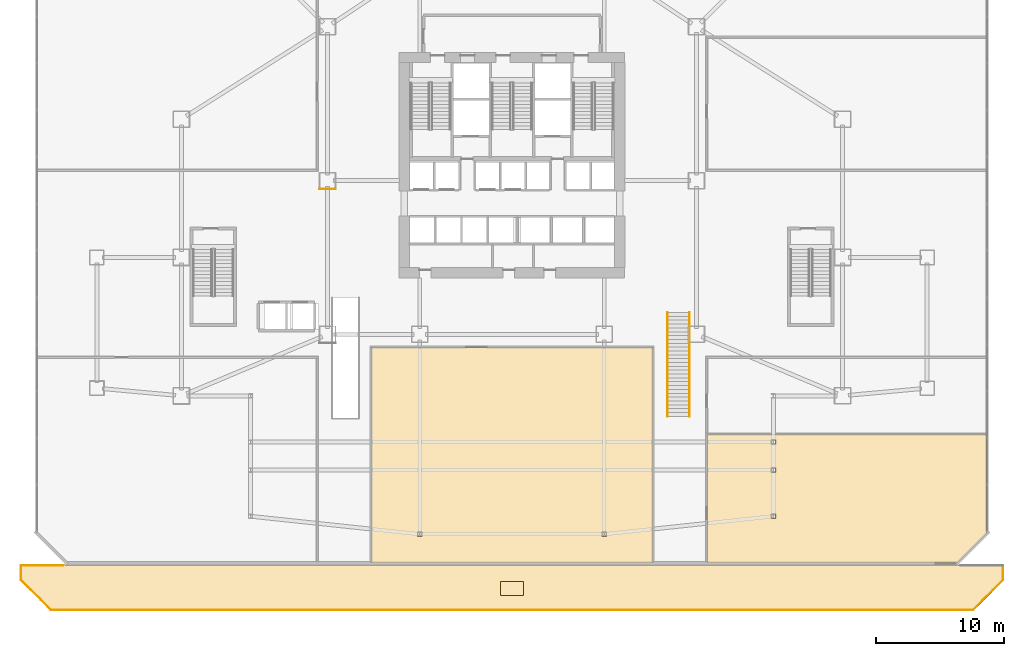
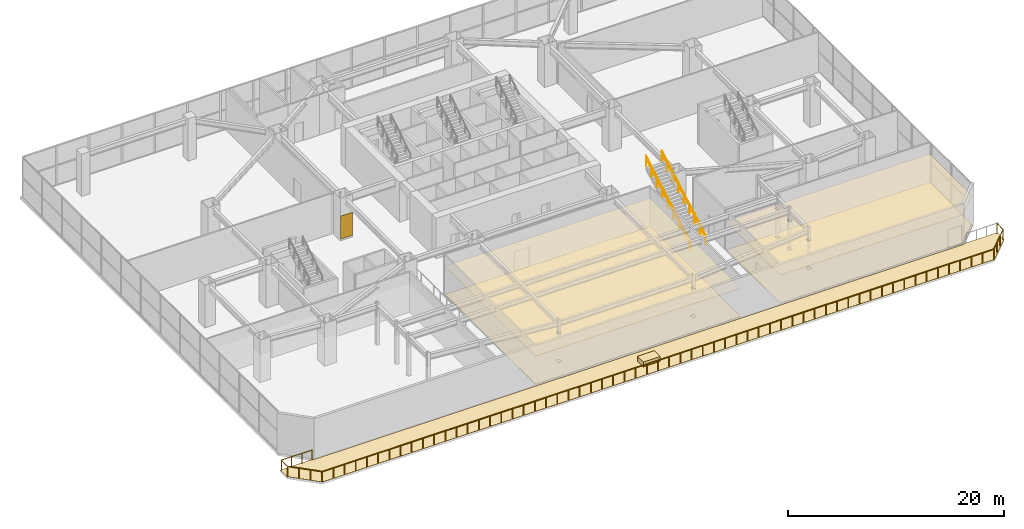
# One storey, part 28 of 31: 7 coverings, 5 railings.
"""IFC4 building model written with IfcOpenShell, lengths in metres."""

import ifcopenshell
import ifcopenshell.guid

model = None  # the IFC model being written
_history = None  # IfcOwnerHistory: only IFC2X3 demands one
_inside = {}  # id of a spatial element -> (the spatial element, [elements in it])
_under = {}  # id of a project, library or spatial element -> (it, [spatial elements below it])
_declared = {}  # id of a project -> (the project, [libraries it declares])
_typed = {}  # id of a type object -> (the type object, [elements of that type])
_made_of = {}  # id of a material, layer set ... -> (it, [elements and type objects made of it])


def new_model(schema):
    """Start an empty IFC model of exactly this schema.

    Asked for "IFC4X3", IfcOpenShell would pick the latest addendum, in which some entities
    have other attributes; the version numbers below select the first issue.
    IFC2X3 requires an IfcOwnerHistory on every rooted entity: one is made here for all.
    """
    global model, _history
    if schema == "IFC4X3":
        model = ifcopenshell.file(schema_version=(4, 3, 0, 0))
    else:
        model = ifcopenshell.file(schema=schema)
    _inside.clear()
    _under.clear()
    _declared.clear()
    _typed.clear()
    _made_of.clear()
    _history = None
    if model.schema == "IFC2X3":
        org = make("IfcOrganization", Name="unknown")
        user = make(
            "IfcPersonAndOrganization",
            ThePerson=make("IfcPerson", FamilyName="unknown"),
            TheOrganization=org,
        )
        app = make(
            "IfcApplication",
            ApplicationDeveloper=org,
            Version="unknown",
            ApplicationFullName="unknown",
            ApplicationIdentifier="unknown",
        )
        _history = make(
            "IfcOwnerHistory",
            OwningUser=user,
            OwningApplication=app,
            ChangeAction="ADDED",
            CreationDate=0,
        )
    return model


def make(cls, **values):
    """One entity of the class cls with the attributes given. An attribute that is None is left unset."""
    return model.create_entity(
        cls, **{name: value for name, value in values.items() if value is not None}
    )


def rooted(cls, **values):
    """An entity with a GlobalId (a new one), such as an element, a storey or a relation."""
    return make(cls, GlobalId=ifcopenshell.guid.new(), OwnerHistory=_history, **values)


def si_unit(unit_type, name, prefix=None):
    """IfcSIUnit, for example si_unit("LENGTHUNIT", "METRE", prefix="MILLI")."""
    return make("IfcSIUnit", UnitType=unit_type, Prefix=prefix, Name=name)


def assignment(units):
    """IfcUnitAssignment: the units of a project."""
    return None if units is None else make("IfcUnitAssignment", Units=units)


def point(xyz):
    """IfcCartesianPoint."""
    return None if xyz is None else make("IfcCartesianPoint", Coordinates=xyz)


def direction(xyz):
    """IfcDirection."""
    return None if xyz is None else make("IfcDirection", DirectionRatios=xyz)


def frame(location, z_axis=None, x_axis=None):
    """IfcAxis2Placement3D, a coordinate frame: its origin and axes. An axis left out is left unset."""
    return make(
        "IfcAxis2Placement3D",
        Location=point(location),
        Axis=direction(z_axis),
        RefDirection=direction(x_axis),
    )


def frame_2d(location, x_axis=None):
    """IfcAxis2Placement2D, a coordinate frame in the plane: its origin and x axis."""
    return make(
        "IfcAxis2Placement2D", Location=point(location), RefDirection=direction(x_axis)
    )


def origin():
    """The frame at (0, 0, 0) with its axes left unset."""
    return frame((0.0, 0.0, 0.0))


def origin_2d():
    """The frame at (0, 0) in the plane with its x axis left unset."""
    return frame_2d((0.0, 0.0))


def place(relative_to, where):
    """IfcLocalPlacement: puts the frame where relative to a parent placement (None: the world)."""
    return make(
        "IfcLocalPlacement", PlacementRelTo=relative_to, RelativePlacement=where
    )


def context(
    kind, dimensions, precision=None, world=None, true_north=None, identifier=None
):
    """IfcGeometricRepresentationContext, for example the 3D "Model" context."""
    return make(
        "IfcGeometricRepresentationContext",
        ContextIdentifier=identifier,
        ContextType=kind,
        CoordinateSpaceDimension=dimensions,
        Precision=precision,
        WorldCoordinateSystem=world,
        TrueNorth=true_north,
    )


def subcontext(parent, identifier, kind, view, scale=None):
    """IfcGeometricRepresentationSubContext, for example "Body" below "Model"."""
    return make(
        "IfcGeometricRepresentationSubContext",
        ContextIdentifier=identifier,
        ContextType=kind,
        ParentContext=parent,
        TargetScale=scale,
        TargetView=view,
    )


def project(units=None, contexts=None):
    """IfcProject with its units and contexts."""
    return rooted(
        "IfcProject",
        Name="project",
        RepresentationContexts=contexts,
        UnitsInContext=assignment(units),
    )


def spatial(cls, under=None, at=None, **own):
    """A site, building, storey or space (cls), placed at a placement, below another one or the project."""
    s = rooted(cls, ObjectPlacement=at, **own)
    if under is not None:
        _under.setdefault(under.id(), (under, []))[1].append(s)
    return s


def polyline(points):
    """IfcPolyline through the points."""
    return make("IfcPolyline", Points=[point(p) for p in points])


def profile(cls, at=None, kind="AREA", **sizes):
    """A parametric profile (cls). Its sizes go by their IFC names, for example OverallWidth=200.0."""
    return make(cls, ProfileType=kind, Position=at, **sizes)


def rectangle(**sizes):
    """IfcRectangleProfileDef."""
    return profile("IfcRectangleProfileDef", **sizes)


def circle(**sizes):
    """IfcCircleProfileDef."""
    return profile("IfcCircleProfileDef", **sizes)


def outline(outer, holes=None, kind="AREA"):
    """IfcArbitraryClosedProfileDef: a profile drawn as a closed curve; with holes, ...WithVoids."""
    if holes is None:
        return make("IfcArbitraryClosedProfileDef", ProfileType=kind, OuterCurve=outer)
    return make(
        "IfcArbitraryProfileDefWithVoids",
        ProfileType=kind,
        OuterCurve=outer,
        InnerCurves=holes,
    )


def extrude(swept, where, along, depth):
    """IfcExtrudedAreaSolid: the profile swept, set in the frame where, extruded along a direction by depth."""
    return make(
        "IfcExtrudedAreaSolid",
        SweptArea=swept,
        Position=where,
        ExtrudedDirection=direction(along),
        Depth=depth,
    )


def shape(context_of_items, identifier, shape_type, items):
    """IfcShapeRepresentation: the items that make up one representation, for example the "Body"."""
    return make(
        "IfcShapeRepresentation",
        ContextOfItems=context_of_items,
        RepresentationIdentifier=identifier,
        RepresentationType=shape_type,
        Items=items,
    )


def material(Name=None, Category=None):
    """IfcMaterial."""
    return make("IfcMaterial", Name=Name, Category=Category)


def layer(
    of_material, thickness, ventilated=None, Name=None, Category=None, Priority=None
):
    """IfcMaterialLayer: one layer of a wall or slab, of a material (None: an air gap)."""
    return make(
        "IfcMaterialLayer",
        Material=of_material,
        LayerThickness=thickness,
        IsVentilated=ventilated,
        Name=Name,
        Category=Category,
        Priority=Priority,
    )


def layer_set(layers, Name=None):
    """IfcMaterialLayerSet."""
    return make("IfcMaterialLayerSet", MaterialLayers=layers, LayerSetName=Name)


def made_of(thing, what):
    """Note that an element or type object is made of a material, layer set ...; save() writes the relation."""
    if what is not None:
        _made_of.setdefault(what.id(), (what, []))[1].append(thing)
    return thing


def type_object(cls, material=None, **own):
    """A type object (cls), such as IfcWallType, which elements share."""
    return made_of(rooted(cls, **own), material)


def element(
    cls,
    number,
    at=None,
    inside=None,
    cuts=None,
    type_object=None,
    material=None,
    context=None,
    identifier="Body",
    shape_type=None,
    held_by="IfcProductDefinitionShape",
    body=None,
    shapes=None,
    **own,
):
    """One element of the class cls, such as IfcWall. Its Tag is "e" and its number.

    at: its placement. inside: the storey or other place that contains it. cuts: it is an
    opening in that element (IfcRelVoidsElement). A single representation is given by context,
    identifier, shape_type and body (its items); several are given by shapes. held_by: the class
    of the entity that holds the representations. save() writes the other relations.
    """
    e = rooted(cls, Tag="e%d" % number, ObjectPlacement=at, **own)
    if body is not None:
        shapes = [shape(context, identifier, shape_type, body)]
    if shapes is not None:
        e.Representation = make(held_by, Representations=shapes)
    if inside is not None:
        _inside.setdefault(inside.id(), (inside, []))[1].append(e)
    if cuts is not None:
        rooted(
            "IfcRelVoidsElement", RelatingBuildingElement=cuts, RelatedOpeningElement=e
        )
    if type_object is not None:
        _typed.setdefault(type_object.id(), (type_object, []))[1].append(e)
    return made_of(e, material)


def aggregate(whole, parts):
    """IfcRelAggregates: a whole, such as a stair, and the parts it consists of."""
    return rooted("IfcRelAggregates", RelatingObject=whole, RelatedObjects=parts)


def save(model, path):
    """Write the relations noted so far, then the file.

    IfcRelAggregates (storeys below a building ...), IfcRelContainedInSpatialStructure (elements
    in a storey), IfcRelDefinesByType, IfcRelAssociatesMaterial and IfcRelDeclares: one each for
    every whole, place, type object, material and project.
    """
    for whole, parts in _under.values():
        aggregate(whole, parts)
    for where, things in _inside.values():
        rooted(
            "IfcRelContainedInSpatialStructure",
            RelatedElements=things,
            RelatingStructure=where,
        )
    for kind, things in _typed.values():
        rooted("IfcRelDefinesByType", RelatedObjects=things, RelatingType=kind)
    for what, things in _made_of.values():
        rooted("IfcRelAssociatesMaterial", RelatedObjects=things, RelatingMaterial=what)
    for by, libraries in _declared.values():
        rooted("IfcRelDeclares", RelatingContext=by, RelatedDefinitions=libraries)
    model.write(path)


model = new_model("IFC4")

# Units and contexts
model_context = context("Model", 3, precision=1e-05, world=origin(), true_north=direction((0.0, 1.0)))
body_context = subcontext(model_context, "Body", "Model", "MODEL_VIEW")
ifc_project = project(units=[si_unit("LENGTHUNIT", "METRE"), si_unit("AREAUNIT", "SQUARE_METRE"), si_unit("VOLUMEUNIT", "CUBIC_METRE"), si_unit("PLANEANGLEUNIT", "RADIAN"), si_unit("MASSUNIT", "GRAM", prefix="KILO")], contexts=[model_context])

# Site, building, storey
site_placement = place(None, origin())
site = spatial("IfcSite", under=ifc_project, at=site_placement, CompositionType="ELEMENT")
building_placement = place(site_placement, origin())
building = spatial("IfcBuilding", under=site, at=building_placement, Name="Haolan Belvedere Tower", CompositionType="ELEMENT")
storey_placement = place(building_placement, frame((0.0, 0.0, 5.39990234375)))
storey = spatial("IfcBuildingStorey", under=building, at=storey_placement, Name="L01", CompositionType="ELEMENT", Elevation=5.39990234375)

# Coverings
ifc_material_1 = material(Name="Acoustic mineral-fibre suspended ceiling system", Category="masonry")
ifc_layer_1 = layer(ifc_material_1, 0.02490234375, Name="Acoustic mineral-fibre suspended ceiling system")
ifc_layer_set_1 = layer_set([ifc_layer_1], Name="Acoustic mineral-fibre suspended ceiling system")
covering_type_1 = type_object("IfcCoveringType", Name="COV-CEIL-AC25", PredefinedType="CEILING", material=ifc_layer_set_1)
covering_1_placement = place(storey_placement, frame((0.0, 0.0, 3.2001953125)))
element("IfcCovering", 1, at=covering_1_placement, inside=storey, type_object=covering_type_1, Name="L01 suspended acoustic ceiling L01-ADD.1", PredefinedType="CEILING", context=body_context, shape_type="SweptSolid", body=[
    extrude(outline(polyline([(49.412109375, 3.738037109375), (49.412109375, 20.612060546875), (27.387939453125, 20.612060546875), (27.387939453125, 3.738037109375), (49.412109375, 3.738037109375)]), holes=[polyline([(45.43505859375, 5.8349609375), (45.43505859375, 6.1650390625), (45.764892578125, 6.1650390625), (45.764892578125, 5.8349609375), (45.43505859375, 5.8349609375)]), polyline([(31.034912109375, 5.8349609375), (31.034912109375, 6.1650390625), (31.364990234375, 6.1650390625), (31.364990234375, 5.8349609375), (31.034912109375, 5.8349609375)])]), origin(), (0.0, 0.0, 1.0), 0.02490234375),
])
covering_2_placement = place(storey_placement, frame((0.0, 0.0, 3.2001953125)))
element("IfcCovering", 2, at=covering_2_placement, inside=storey, type_object=covering_type_1, Name="L01 suspended acoustic ceiling L01-PDR1.3", PredefinedType="CEILING", context=body_context, shape_type="SweptSolid", body=[
    extrude(outline(polyline([(75.4619140625, 6.02880859375), (75.4619140625, 13.81201171875), (53.587890625, 13.81201171875), (53.587890625, 3.738037109375), (73.171142578125, 3.738037109375), (75.4619140625, 6.02880859375)]), holes=[polyline([(58.635009765625, 7.235107421875), (58.635009765625, 7.56494140625), (58.965087890625, 7.56494140625), (58.965087890625, 7.235107421875), (58.635009765625, 7.235107421875)]), polyline([(58.635009765625, 10.8349609375), (58.635009765625, 11.1650390625), (58.965087890625, 11.1650390625), (58.965087890625, 10.8349609375), (58.635009765625, 10.8349609375)]), polyline([(58.635009765625, 13.034912109375), (58.635009765625, 13.364990234375), (58.965087890625, 13.364990234375), (58.965087890625, 13.034912109375), (58.635009765625, 13.034912109375)])]), origin(), (0.0, 0.0, 1.0), 0.02490234375),
])
ifc_material_2 = material(Name="Pale champagne-silver anodised aluminium rainscreen cladding", Category="aluminium")
ifc_layer_2 = layer(ifc_material_2, 0.034912109375, Name="Pale champagne-silver anodised aluminium rainscreen cladding")
ifc_layer_set_2 = layer_set([ifc_layer_2], Name="Pale champagne-silver anodised aluminium rainscreen cladding")
covering_type_2 = type_object("IfcCoveringType", Name="COV-CLAD-35", PredefinedType="CLADDING", material=ifc_layer_set_2)
covering_3_placement = place(storey_placement, frame((24.0, 32.93505859375, 0.199951171875), z_axis=(0.0, 0.0, 1.0), x_axis=(1.0, 0.0, 0.0)))
element("IfcCovering", 3, at=covering_3_placement, inside=storey, type_object=covering_type_2, Name="L01 pale-metal pier rainscreen cladding 2", PredefinedType="CLADDING", context=body_context, shape_type="SweptSolid", body=[
    extrude(rectangle(XDim=1.300048828125, YDim=0.034912109375, at=origin_2d()), origin(), (0.0, 0.0, 1.0), 2.60009765625),
])
ifc_material_3 = material(Name="Honed terrazzo and natural granite stone flooring", Category="masonry")
ifc_layer_3 = layer(ifc_material_3, 0.014892578125, Name="Honed terrazzo and natural granite stone flooring")
ifc_layer_set_3 = layer_set([ifc_layer_3], Name="Honed terrazzo and natural granite stone flooring")
covering_type_3 = type_object("IfcCoveringType", Name="COV-FLR-STN30", PredefinedType="FLOORING", material=ifc_layer_set_3)
covering_4_placement = place(storey_placement, origin())
element("IfcCovering", 4, at=covering_4_placement, inside=storey, type_object=covering_type_3, Name="L01 polished stone floor finish L01-ADD.1", PredefinedType="FLOORING", context=body_context, shape_type="SweptSolid", body=[
    extrude(outline(polyline([(49.386962890625, 20.5869140625), (27.4130859375, 20.5869140625), (27.4130859375, 3.762939453125), (49.386962890625, 3.762939453125), (49.386962890625, 20.5869140625)]), holes=[polyline([(45.409912109375, 6.18994140625), (45.7900390625, 6.18994140625), (45.7900390625, 5.81005859375), (45.409912109375, 5.81005859375), (45.409912109375, 6.18994140625)]), polyline([(31.010009765625, 6.18994140625), (31.389892578125, 6.18994140625), (31.389892578125, 5.81005859375), (31.010009765625, 5.81005859375), (31.010009765625, 6.18994140625)])]), origin(), (0.0, 0.0, 1.0), 0.01513671875),
])
covering_5_placement = place(storey_placement, origin())
element("IfcCovering", 5, at=covering_5_placement, inside=storey, type_object=covering_type_3, Name="L01 polished stone floor finish L01-PDR1.3", PredefinedType="FLOORING", context=body_context, shape_type="SweptSolid", body=[
    extrude(outline(polyline([(75.43701171875, 13.787109375), (53.613037109375, 13.787109375), (53.613037109375, 3.762939453125), (73.160888671875, 3.762939453125), (75.43701171875, 6.039306640625), (75.43701171875, 13.787109375)]), holes=[polyline([(58.610107421875, 7.590087890625), (58.989990234375, 7.590087890625), (58.989990234375, 7.2099609375), (58.610107421875, 7.2099609375), (58.610107421875, 7.590087890625)]), polyline([(58.610107421875, 11.18994140625), (58.989990234375, 11.18994140625), (58.989990234375, 10.81005859375), (58.610107421875, 10.81005859375), (58.610107421875, 11.18994140625)]), polyline([(58.610107421875, 13.389892578125), (58.989990234375, 13.389892578125), (58.989990234375, 13.010009765625), (58.610107421875, 13.010009765625), (58.610107421875, 13.389892578125)])]), origin(), (0.0, 0.0, 1.0), 0.01513671875),
])
ifc_material_4 = material(Name="Engineered lightweight planted garden soil substrate", Category="masonry")
ifc_layer_4 = layer(ifc_material_4, 0.550048828125, Name="Engineered lightweight planted garden soil substrate")
ifc_layer_set_4 = layer_set([ifc_layer_4], Name="Engineered lightweight planted garden soil substrate")
covering_type_4 = type_object("IfcCoveringType", Name="COV-PLANT-550", PredefinedType="MEMBRANE", material=ifc_layer_set_4)
covering_6_placement = place(storey_placement, frame((38.39990234375, 1.77490234375, 0.0), z_axis=(0.0, 0.0, 1.0), x_axis=(1.0, 0.0, 0.0)))
element("IfcCovering", 6, at=covering_6_placement, inside=storey, type_object=covering_type_4, Name="L01 cascade garden terrace PLANTER bed 1", PredefinedType="MEMBRANE", context=body_context, shape_type="SweptSolid", body=[
    extrude(rectangle(XDim=1.800048828125, YDim=1.10009765625, at=origin_2d()), origin(), (0.0, 0.0, 1.0), 0.550048828125),
])
ifc_material_5 = material(Name="Elastomeric waterproof roofing membrane and stone pavers", Category="masonry")
ifc_layer_5 = layer(ifc_material_5, 0.02001953125, Name="Elastomeric waterproof roofing membrane and stone pavers")
ifc_layer_set_5 = layer_set([ifc_layer_5], Name="Elastomeric waterproof roofing membrane and stone pavers")
covering_type_5 = type_object("IfcCoveringType", Name="COV-ROOF-20", PredefinedType="ROOFING", material=ifc_layer_set_5)
covering_7_placement = place(storey_placement, frame((0.0, 0.0, -0.02001953125)))
element("IfcCovering", 7, at=covering_7_placement, inside=storey, type_object=covering_type_5, Name="L01 garden terrace waterproof roofing paver 1", PredefinedType="ROOFING", context=body_context, shape_type="SweptSolid", body=[
    extrude(outline(polyline([(76.800048828125, 3.64990234375), (73.32080078125, 3.64990234375), (73.23681640625, 3.56591796875), (73.234375, 3.563720703125), (73.229736328125, 3.559814453125), (73.2255859375, 3.55712890625), (73.22119140625, 3.554931640625), (73.216796875, 3.552978515625), (73.212158203125, 3.551513671875), (73.207275390625, 3.55078125), (73.201416015625, 3.550048828125), (73.1982421875, 3.550048828125), (3.601806640625, 3.550048828125), (3.5986328125, 3.550048828125), (3.5927734375, 3.55078125), (3.587890625, 3.551513671875), (3.583251953125, 3.552978515625), (3.57861328125, 3.554931640625), (3.574462890625, 3.55712890625), (3.5703125, 3.559814453125), (3.565673828125, 3.563720703125), (3.563232421875, 3.56591796875), (3.479248046875, 3.64990234375), (0.0, 3.64990234375), (0.0, 2.39990234375), (2.39990234375, 0.0), (74.39990234375, 0.0), (76.800048828125, 2.39990234375), (76.800048828125, 3.64990234375)])), origin(), (0.0, 0.0, 1.0), 0.02001953125),
])

# Railings
ifc_material_6 = material(Name="Brushed stainless steel 304", Category="steel")
railing_type_1 = type_object("IfcRailingType", Name="RL-STAIR-GRD-1150", PredefinedType="GUARDRAIL", material=ifc_material_6)
for number, where, name in (
    (8, (50.550048828125, 15.199951171875, 0.171630859375), "L01 ST7 flight guard 1"),
    (9, (52.25, 15.199951171875, 0.171630859375), "L01 ST7 flight guard 2"),
):
    element("IfcRailing", number, at=place(storey_placement, frame(where)), inside=storey, type_object=railing_type_1, Name=name, PredefinedType="GUARDRAIL", context=body_context, shape_type="SweptSolid", body=[
        extrude(circle(Radius=0.02392578125, at=origin_2d()), frame((0.0, 0.0, 1.1259765625), z_axis=(0.0, 0.868252804557, 0.496122028718), x_axis=(-1.0, 0.0, 0.0)), (0.0, 0.0, 1.0), 9.3291015625),
        extrude(circle(Radius=0.02099609375, at=origin_2d()), origin(), (0.0, 0.0, 1.0), 1.101806640625),
        extrude(circle(Radius=0.02099609375, at=origin_2d()), frame((0.0, 1.012451171875, 0.57861328125)), (0.0, 0.0, 1.0), 1.101806640625),
        extrude(circle(Radius=0.02099609375, at=origin_2d()), frame((0.0, 2.02490234375, 1.1572265625)), (0.0, 0.0, 1.0), 1.101806640625),
        extrude(circle(Radius=0.02099609375, at=origin_2d()), frame((0.0, 3.03759765625, 1.735595703125)), (0.0, 0.0, 1.0), 1.101806640625),
        extrude(circle(Radius=0.02099609375, at=origin_2d()), frame((0.0, 4.050048828125, 2.314208984375)), (0.0, 0.0, 1.0), 1.101806640625),
        extrude(circle(Radius=0.02099609375, at=origin_2d()), frame((0.0, 5.0625, 2.892822265625)), (0.0, 0.0, 1.0), 1.101806640625),
        extrude(circle(Radius=0.02099609375, at=origin_2d()), frame((0.0, 6.0751953125, 3.47119140625)), (0.0, 0.0, 1.0), 1.101806640625),
        extrude(circle(Radius=0.02099609375, at=origin_2d()), frame((0.0, 7.087646484375, 4.0498046875)), (0.0, 0.0, 1.0), 1.101806640625),
        extrude(circle(Radius=0.02099609375, at=origin_2d()), frame((0.0, 8.10009765625, 4.62841796875)), (0.0, 0.0, 1.0), 1.101806640625),
    ])
railing_type_2 = type_object("IfcRailingType", Name="RL-STAIR-HND-900", PredefinedType="HANDRAIL", material=ifc_material_6)
for number, where, name in (
    (10, (50.550048828125, 15.239990234375, 0.171630859375), "L01 ST7 handrail 1"),
    (11, (52.25, 15.239990234375, 0.171630859375), "L01 ST7 handrail 2"),
):
    element("IfcRailing", number, at=place(storey_placement, frame(where)), inside=storey, type_object=railing_type_2, Name=name, PredefinedType="HANDRAIL", context=body_context, shape_type="SweptSolid", body=[
        extrude(circle(Radius=0.02392578125, at=origin_2d()), frame((0.0, 0.0, 0.8759765625), z_axis=(0.0, 0.867190500908, 0.497976540747), x_axis=(-1.0, 0.0, 0.0)), (0.0, 0.0, 1.0), 9.29443359375),
        extrude(circle(Radius=0.02099609375, at=origin_2d()), origin(), (0.0, 0.0, 1.0), 0.851806640625),
        extrude(circle(Radius=0.02099609375, at=origin_2d()), frame((0.0, 1.007568359375, 0.57861328125)), (0.0, 0.0, 1.0), 0.851806640625),
        extrude(circle(Radius=0.02099609375, at=origin_2d()), frame((0.0, 2.01513671875, 1.1572265625)), (0.0, 0.0, 1.0), 0.851806640625),
        extrude(circle(Radius=0.02099609375, at=origin_2d()), frame((0.0, 3.0224609375, 1.735595703125)), (0.0, 0.0, 1.0), 0.851806640625),
        extrude(circle(Radius=0.02099609375, at=origin_2d()), frame((0.0, 4.030029296875, 2.314208984375)), (0.0, 0.0, 1.0), 0.851806640625),
        extrude(circle(Radius=0.02099609375, at=origin_2d()), frame((0.0, 5.03759765625, 2.892822265625)), (0.0, 0.0, 1.0), 0.851806640625),
        extrude(circle(Radius=0.02099609375, at=origin_2d()), frame((0.0, 6.044921875, 3.47119140625)), (0.0, 0.0, 1.0), 0.851806640625),
        extrude(circle(Radius=0.02099609375, at=origin_2d()), frame((0.0, 7.052490234375, 4.0498046875)), (0.0, 0.0, 1.0), 0.851806640625),
        extrude(circle(Radius=0.02099609375, at=origin_2d()), frame((0.0, 8.06005859375, 4.62841796875)), (0.0, 0.0, 1.0), 0.851806640625),
    ])
ifc_material_7 = material(Name="Anodised aluminium and laminated glass balustrade", Category="aluminium")
railing_type_3 = type_object("IfcRailingType", Name="RL-TER-BAL-1150", PredefinedType="BALUSTRADE", material=ifc_material_7)
railing_placement = place(storey_placement, frame((76.719970703125, 3.570068359375, 0.0)))
element("IfcRailing", 12, at=railing_placement, inside=storey, type_object=railing_type_3, Name="L01 outdoor perimeter balustrade TERR-L01-1-1", PredefinedType="BALUSTRADE", context=body_context, shape_type="SweptSolid", body=[
    extrude(circle(Radius=0.02392578125, at=origin_2d()), frame((0.0, 0.0, 1.1259765625), z_axis=(0.0, -1.0, 0.0), x_axis=(1.0, 0.0, 0.0)), (0.0, 0.0, 1.0), 1.136962890625),
    extrude(circle(Radius=0.02392578125, at=origin_2d()), frame((0.0, -1.136962890625, 1.1259765625), z_axis=(-0.707106781187, -0.707106781187, 0.0), x_axis=(0.707106781187, -0.707106781187, 0.0)), (0.0, 0.0, 1.0), 3.32763671875),
    extrude(circle(Radius=0.02392578125, at=origin_2d()), frame((-2.35302734375, -3.489990234375, 1.1259765625), z_axis=(-1.0, 0.0, 0.0), x_axis=(0.0, -1.0, 0.0)), (0.0, 0.0, 1.0), 71.933837890625),
    extrude(circle(Radius=0.02392578125, at=origin_2d()), frame((-74.286865234375, -3.489990234375, 1.1259765625), z_axis=(-0.707106781187, 0.707106781187, 0.0), x_axis=(-0.707106781187, -0.707106781187, 0.0)), (0.0, 0.0, 1.0), 3.32763671875),
    extrude(circle(Radius=0.02392578125, at=origin_2d()), frame((-76.639892578125, -1.136962890625, 1.1259765625), z_axis=(0.0, 1.0, 0.0), x_axis=(-1.0, 0.0, 0.0)), (0.0, 0.0, 1.0), 1.136962890625),
    extrude(circle(Radius=0.02392578125, at=origin_2d()), frame((-76.639892578125, 0.0, 1.1259765625), z_axis=(1.0, 0.0, 0.0), x_axis=(0.0, 1.0, 0.0)), (0.0, 0.0, 1.0), 3.29541015625),
    extrude(circle(Radius=0.02099609375, at=origin_2d()), origin(), (0.0, 0.0, 1.0), 1.101806640625),
    extrude(circle(Radius=0.02099609375, at=origin_2d()), frame((0.0, -1.136962890625, 0.0)), (0.0, 0.0, 1.0), 1.101806640625),
    extrude(circle(Radius=0.02099609375, at=origin_2d()), frame((-0.784423828125, -1.92138671875, 0.0)), (0.0, 0.0, 1.0), 1.101806640625),
    extrude(circle(Radius=0.02099609375, at=origin_2d()), frame((-1.568603515625, -2.70556640625, 0.0)), (0.0, 0.0, 1.0), 1.101806640625),
    extrude(circle(Radius=0.02099609375, at=origin_2d()), frame((-2.35302734375, -3.489990234375, 0.0)), (0.0, 0.0, 1.0), 1.101806640625),
    extrude(circle(Radius=0.02099609375, at=origin_2d()), frame((-3.552001953125, -3.489990234375, 0.0)), (0.0, 0.0, 1.0), 1.101806640625),
    extrude(circle(Radius=0.02099609375, at=origin_2d()), frame((-4.750732421875, -3.489990234375, 0.0)), (0.0, 0.0, 1.0), 1.101806640625),
    extrude(circle(Radius=0.02099609375, at=origin_2d()), frame((-5.94970703125, -3.489990234375, 0.0)), (0.0, 0.0, 1.0), 1.101806640625),
    extrude(circle(Radius=0.02099609375, at=origin_2d()), frame((-7.148681640625, -3.489990234375, 0.0)), (0.0, 0.0, 1.0), 1.101806640625),
    extrude(circle(Radius=0.02099609375, at=origin_2d()), frame((-8.347412109375, -3.489990234375, 0.0)), (0.0, 0.0, 1.0), 1.101806640625),
    extrude(circle(Radius=0.02099609375, at=origin_2d()), frame((-9.54638671875, -3.489990234375, 0.0)), (0.0, 0.0, 1.0), 1.101806640625),
    extrude(circle(Radius=0.02099609375, at=origin_2d()), frame((-10.745361328125, -3.489990234375, 0.0)), (0.0, 0.0, 1.0), 1.101806640625),
    extrude(circle(Radius=0.02099609375, at=origin_2d()), frame((-11.944091796875, -3.489990234375, 0.0)), (0.0, 0.0, 1.0), 1.101806640625),
    extrude(circle(Radius=0.02099609375, at=origin_2d()), frame((-13.14306640625, -3.489990234375, 0.0)), (0.0, 0.0, 1.0), 1.101806640625),
    extrude(circle(Radius=0.02099609375, at=origin_2d()), frame((-14.342041015625, -3.489990234375, 0.0)), (0.0, 0.0, 1.0), 1.101806640625),
    extrude(circle(Radius=0.02099609375, at=origin_2d()), frame((-15.541015625, -3.489990234375, 0.0)), (0.0, 0.0, 1.0), 1.101806640625),
    extrude(circle(Radius=0.02099609375, at=origin_2d()), frame((-16.73974609375, -3.489990234375, 0.0)), (0.0, 0.0, 1.0), 1.101806640625),
    extrude(circle(Radius=0.02099609375, at=origin_2d()), frame((-17.938720703125, -3.489990234375, 0.0)), (0.0, 0.0, 1.0), 1.101806640625),
    extrude(circle(Radius=0.02099609375, at=origin_2d()), frame((-19.1376953125, -3.489990234375, 0.0)), (0.0, 0.0, 1.0), 1.101806640625),
    extrude(circle(Radius=0.02099609375, at=origin_2d()), frame((-20.33642578125, -3.489990234375, 0.0)), (0.0, 0.0, 1.0), 1.101806640625),
    extrude(circle(Radius=0.02099609375, at=origin_2d()), frame((-21.535400390625, -3.489990234375, 0.0)), (0.0, 0.0, 1.0), 1.101806640625),
    extrude(circle(Radius=0.02099609375, at=origin_2d()), frame((-22.734375, -3.489990234375, 0.0)), (0.0, 0.0, 1.0), 1.101806640625),
    extrude(circle(Radius=0.02099609375, at=origin_2d()), frame((-23.93310546875, -3.489990234375, 0.0)), (0.0, 0.0, 1.0), 1.101806640625),
    extrude(circle(Radius=0.02099609375, at=origin_2d()), frame((-25.132080078125, -3.489990234375, 0.0)), (0.0, 0.0, 1.0), 1.101806640625),
    extrude(circle(Radius=0.02099609375, at=origin_2d()), frame((-26.3310546875, -3.489990234375, 0.0)), (0.0, 0.0, 1.0), 1.101806640625),
    extrude(circle(Radius=0.02099609375, at=origin_2d()), frame((-27.52978515625, -3.489990234375, 0.0)), (0.0, 0.0, 1.0), 1.101806640625),
    extrude(circle(Radius=0.02099609375, at=origin_2d()), frame((-28.728759765625, -3.489990234375, 0.0)), (0.0, 0.0, 1.0), 1.101806640625),
    extrude(circle(Radius=0.02099609375, at=origin_2d()), frame((-29.927734375, -3.489990234375, 0.0)), (0.0, 0.0, 1.0), 1.101806640625),
    extrude(circle(Radius=0.02099609375, at=origin_2d()), frame((-31.12646484375, -3.489990234375, 0.0)), (0.0, 0.0, 1.0), 1.101806640625),
    extrude(circle(Radius=0.02099609375, at=origin_2d()), frame((-32.325439453125, -3.489990234375, 0.0)), (0.0, 0.0, 1.0), 1.101806640625),
    extrude(circle(Radius=0.02099609375, at=origin_2d()), frame((-33.5244140625, -3.489990234375, 0.0)), (0.0, 0.0, 1.0), 1.101806640625),
    extrude(circle(Radius=0.02099609375, at=origin_2d()), frame((-34.72314453125, -3.489990234375, 0.0)), (0.0, 0.0, 1.0), 1.101806640625),
    extrude(circle(Radius=0.02099609375, at=origin_2d()), frame((-35.922119140625, -3.489990234375, 0.0)), (0.0, 0.0, 1.0), 1.101806640625),
    extrude(circle(Radius=0.02099609375, at=origin_2d()), frame((-37.12109375, -3.489990234375, 0.0)), (0.0, 0.0, 1.0), 1.101806640625),
    extrude(circle(Radius=0.02099609375, at=origin_2d()), frame((-38.31982421875, -3.489990234375, 0.0)), (0.0, 0.0, 1.0), 1.101806640625),
    extrude(circle(Radius=0.02099609375, at=origin_2d()), frame((-39.518798828125, -3.489990234375, 0.0)), (0.0, 0.0, 1.0), 1.101806640625),
    extrude(circle(Radius=0.02099609375, at=origin_2d()), frame((-40.7177734375, -3.489990234375, 0.0)), (0.0, 0.0, 1.0), 1.101806640625),
    extrude(circle(Radius=0.02099609375, at=origin_2d()), frame((-41.916748046875, -3.489990234375, 0.0)), (0.0, 0.0, 1.0), 1.101806640625),
    extrude(circle(Radius=0.02099609375, at=origin_2d()), frame((-43.115478515625, -3.489990234375, 0.0)), (0.0, 0.0, 1.0), 1.101806640625),
    extrude(circle(Radius=0.02099609375, at=origin_2d()), frame((-44.314453125, -3.489990234375, 0.0)), (0.0, 0.0, 1.0), 1.101806640625),
    extrude(circle(Radius=0.02099609375, at=origin_2d()), frame((-45.513427734375, -3.489990234375, 0.0)), (0.0, 0.0, 1.0), 1.101806640625),
    extrude(circle(Radius=0.02099609375, at=origin_2d()), frame((-46.712158203125, -3.489990234375, 0.0)), (0.0, 0.0, 1.0), 1.101806640625),
    extrude(circle(Radius=0.02099609375, at=origin_2d()), frame((-47.9111328125, -3.489990234375, 0.0)), (0.0, 0.0, 1.0), 1.101806640625),
    extrude(circle(Radius=0.02099609375, at=origin_2d()), frame((-49.110107421875, -3.489990234375, 0.0)), (0.0, 0.0, 1.0), 1.101806640625),
    extrude(circle(Radius=0.02099609375, at=origin_2d()), frame((-50.308837890625, -3.489990234375, 0.0)), (0.0, 0.0, 1.0), 1.101806640625),
    extrude(circle(Radius=0.02099609375, at=origin_2d()), frame((-51.5078125, -3.489990234375, 0.0)), (0.0, 0.0, 1.0), 1.101806640625),
    extrude(circle(Radius=0.02099609375, at=origin_2d()), frame((-52.706787109375, -3.489990234375, 0.0)), (0.0, 0.0, 1.0), 1.101806640625),
    extrude(circle(Radius=0.02099609375, at=origin_2d()), frame((-53.905517578125, -3.489990234375, 0.0)), (0.0, 0.0, 1.0), 1.101806640625),
    extrude(circle(Radius=0.02099609375, at=origin_2d()), frame((-55.1044921875, -3.489990234375, 0.0)), (0.0, 0.0, 1.0), 1.101806640625),
    extrude(circle(Radius=0.02099609375, at=origin_2d()), frame((-56.303466796875, -3.489990234375, 0.0)), (0.0, 0.0, 1.0), 1.101806640625),
    extrude(circle(Radius=0.02099609375, at=origin_2d()), frame((-57.502197265625, -3.489990234375, 0.0)), (0.0, 0.0, 1.0), 1.101806640625),
    extrude(circle(Radius=0.02099609375, at=origin_2d()), frame((-58.701171875, -3.489990234375, 0.0)), (0.0, 0.0, 1.0), 1.101806640625),
    extrude(circle(Radius=0.02099609375, at=origin_2d()), frame((-59.900146484375, -3.489990234375, 0.0)), (0.0, 0.0, 1.0), 1.101806640625),
    extrude(circle(Radius=0.02099609375, at=origin_2d()), frame((-61.098876953125, -3.489990234375, 0.0)), (0.0, 0.0, 1.0), 1.101806640625),
    extrude(circle(Radius=0.02099609375, at=origin_2d()), frame((-62.2978515625, -3.489990234375, 0.0)), (0.0, 0.0, 1.0), 1.101806640625),
    extrude(circle(Radius=0.02099609375, at=origin_2d()), frame((-63.496826171875, -3.489990234375, 0.0)), (0.0, 0.0, 1.0), 1.101806640625),
    extrude(circle(Radius=0.02099609375, at=origin_2d()), frame((-64.69580078125, -3.489990234375, 0.0)), (0.0, 0.0, 1.0), 1.101806640625),
    extrude(circle(Radius=0.02099609375, at=origin_2d()), frame((-65.89453125, -3.489990234375, 0.0)), (0.0, 0.0, 1.0), 1.101806640625),
    extrude(circle(Radius=0.02099609375, at=origin_2d()), frame((-67.093505859375, -3.489990234375, 0.0)), (0.0, 0.0, 1.0), 1.101806640625),
    extrude(circle(Radius=0.02099609375, at=origin_2d()), frame((-68.29248046875, -3.489990234375, 0.0)), (0.0, 0.0, 1.0), 1.101806640625),
    extrude(circle(Radius=0.02099609375, at=origin_2d()), frame((-69.4912109375, -3.489990234375, 0.0)), (0.0, 0.0, 1.0), 1.101806640625),
    extrude(circle(Radius=0.02099609375, at=origin_2d()), frame((-70.690185546875, -3.489990234375, 0.0)), (0.0, 0.0, 1.0), 1.101806640625),
    extrude(circle(Radius=0.02099609375, at=origin_2d()), frame((-71.88916015625, -3.489990234375, 0.0)), (0.0, 0.0, 1.0), 1.101806640625),
    extrude(circle(Radius=0.02099609375, at=origin_2d()), frame((-73.087890625, -3.489990234375, 0.0)), (0.0, 0.0, 1.0), 1.101806640625),
    extrude(circle(Radius=0.02099609375, at=origin_2d()), frame((-74.286865234375, -3.489990234375, 0.0)), (0.0, 0.0, 1.0), 1.101806640625),
    extrude(circle(Radius=0.02099609375, at=origin_2d()), frame((-75.0712890625, -2.70556640625, 0.0)), (0.0, 0.0, 1.0), 1.101806640625),
    extrude(circle(Radius=0.02099609375, at=origin_2d()), frame((-75.85546875, -1.92138671875, 0.0)), (0.0, 0.0, 1.0), 1.101806640625),
    extrude(circle(Radius=0.02099609375, at=origin_2d()), frame((-76.639892578125, -1.136962890625, 0.0)), (0.0, 0.0, 1.0), 1.101806640625),
    extrude(circle(Radius=0.02099609375, at=origin_2d()), frame((-76.639892578125, 0.0, 0.0)), (0.0, 0.0, 1.0), 1.101806640625),
    extrude(circle(Radius=0.02099609375, at=origin_2d()), frame((-75.54150390625, 0.0, 0.0)), (0.0, 0.0, 1.0), 1.101806640625),
    extrude(circle(Radius=0.02099609375, at=origin_2d()), frame((-74.44287109375, 0.0, 0.0)), (0.0, 0.0, 1.0), 1.101806640625),
    extrude(circle(Radius=0.02099609375, at=origin_2d()), frame((-73.344482421875, 0.0, 0.0)), (0.0, 0.0, 1.0), 1.101806640625),
])

save(model, "model.ifc")
